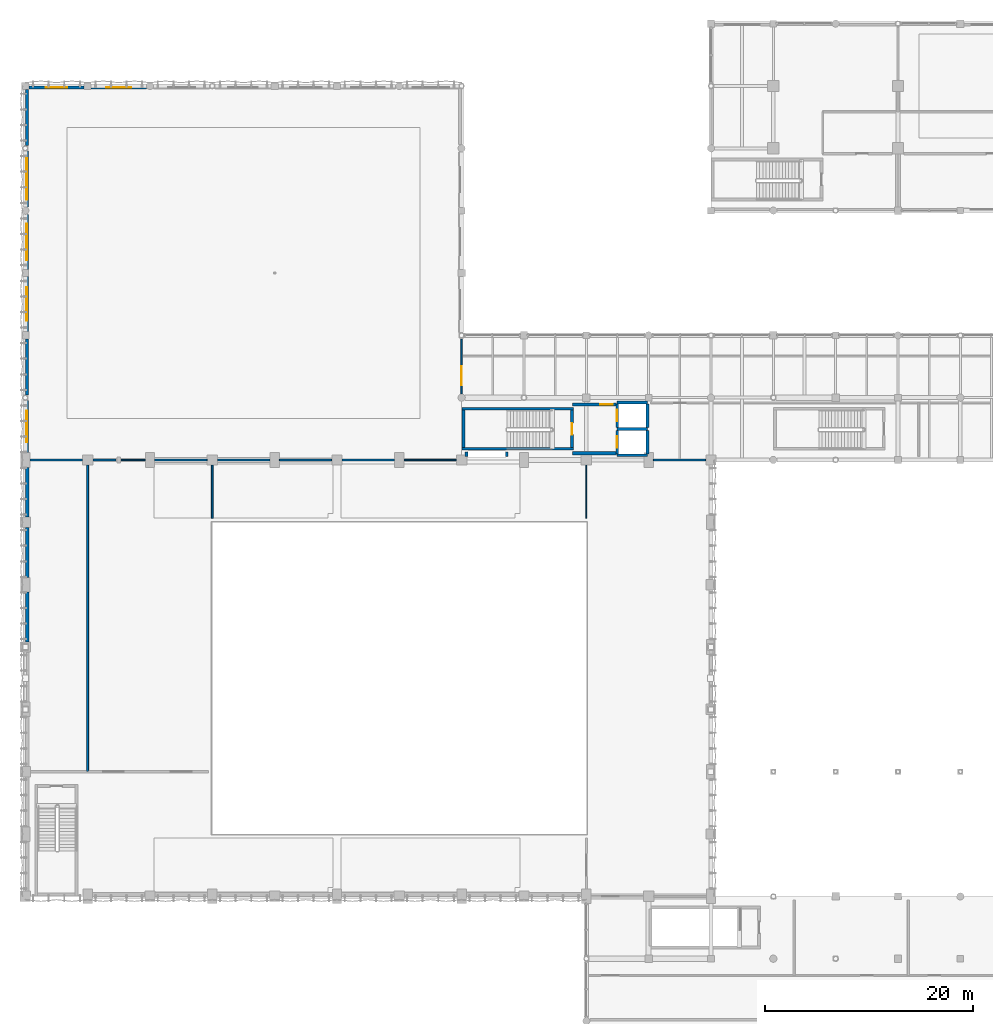
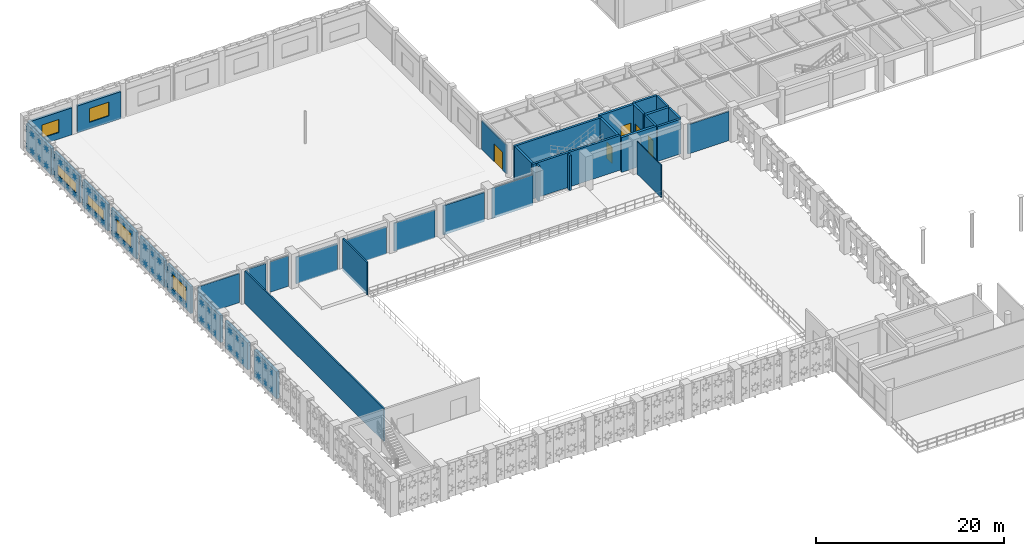
# One storey, part 89 of 116: 39 walls, 6 windows, 5 doors, 11 openings.
"""IFC4 building model written with IfcOpenShell, lengths in metres."""

from ifc_helpers import new_model, si_unit, direction, frame, frame_2d, origin, place, context, subcontext, project, spatial, rectangle, extrude, material, layer, layer_set, type_object, element, fill, save


model = new_model("IFC4")

# Units and contexts
model_context = context("Model", 3, precision=1e-05, world=origin(), true_north=direction((0.0, 1.0)))
body_context = subcontext(model_context, "Body", "Model", "MODEL_VIEW")
ifc_project = project(units=[si_unit("LENGTHUNIT", "METRE"), si_unit("AREAUNIT", "SQUARE_METRE"), si_unit("VOLUMEUNIT", "CUBIC_METRE"), si_unit("PLANEANGLEUNIT", "RADIAN"), si_unit("MASSUNIT", "GRAM", prefix="KILO"), si_unit("THERMODYNAMICTEMPERATUREUNIT", "KELVIN"), si_unit("POWERUNIT", "WATT")], contexts=[model_context])

# Site, building, storey
site_placement = place(None, origin())
site = spatial("IfcSite", under=ifc_project, at=site_placement, CompositionType="ELEMENT")
building_placement = place(site_placement, origin())
building = spatial("IfcBuilding", under=site, at=building_placement, Name="Phaisarnlok Congress Hotel", CompositionType="ELEMENT")
storey_placement = place(building_placement, frame((0.0, 0.0, 10.5)))
storey = spatial("IfcBuildingStorey", under=building, at=storey_placement, Name="L02", CompositionType="ELEMENT", Elevation=10.5)

# Wall, opening, window
ifc_material_1 = material(Name="Concrete C40/50", Category="concrete")
ifc_layer_1 = layer(ifc_material_1, 0.2900390625, Name="Concrete C40/50")
ifc_layer_set_1 = layer_set([ifc_layer_1], Name="Concrete C40/50")
wall_type_1 = type_object("IfcWallType", Name="WL-EXT-290", PredefinedType="SOLIDWALL", material=ifc_layer_set_1)
wall_1_placement = place(storey_placement, frame((11.64501953125, 119.85498046875, 0.0), z_axis=(0.0, 0.0, 1.0), x_axis=(-1.0, 0.0, 0.0)))
wall_1 = element("IfcWall", 1, at=wall_1_placement, inside=storey, type_object=wall_type_1, Name="Exterior wall EW-03 (L02)", PredefinedType="SOLIDWALL", context=body_context, shape_type="SweptSolid", body=[
    extrude(rectangle(XDim=5.31494140625, YDim=0.2900390625, at=frame_2d((2.657470703125, 0.0))), origin(), (0.0, 0.0, 1.0), 3.489990234375),
])
opening_1_placement = place(wall_1_placement, frame((1.45703125, 0.0, 0.85009765625)))
opening_1 = element("IfcOpeningElement", 2, at=opening_1_placement, cuts=wall_1, Name="Opening W-08", PredefinedType="OPENING", context=body_context, shape_type="SweptSolid", body=[
    extrude(rectangle(XDim=2.39990234375, YDim=1.800048828125, at=frame_2d((1.199951171875, 0.89990234375))), frame((0.0, 0.155029296875, 0.0), z_axis=(0.0, -1.0, 0.0), x_axis=(1.0, 0.0, 0.0)), (0.0, 0.0, 1.0), 0.31005859375),
])
ifc_material_2 = material(Name="Thermally Broken Aluminium & Low-E Double Glazing", Category="aluminium")
window_type_1 = type_object("IfcWindowType", Name="WIN-POD-2400", PartitioningType="SINGLE_PANEL", PredefinedType="WINDOW", material=ifc_material_2)
window_1_placement = place(opening_1_placement, origin())
window_1 = element("IfcWindow", 3, at=window_1_placement, inside=storey, type_object=window_type_1, Name="Podium window W-08 (L02)", OverallHeight=1.800048828125, OverallWidth=2.39990234375, PartitioningType="SINGLE_PANEL", PredefinedType="WINDOW", context=body_context, shape_type="SweptSolid", body=[
    extrude(rectangle(XDim=2.39990234375, YDim=1.800048828125, at=frame_2d((1.199951171875, 0.89990234375))), frame((0.0, 0.030029296875, 0.0), z_axis=(0.0, -1.0, 0.0), x_axis=(1.0, 0.0, 0.0)), (0.0, 0.0, 1.0), 0.06005859375),
])
fill(opening_1, window_1)

wall_2_placement = place(storey_placement, frame((5.669921875, 119.85498046875, 0.0), z_axis=(0.0, 0.0, 1.0), x_axis=(-1.0, 0.0, 0.0)))
wall_2 = element("IfcWall", 4, at=wall_2_placement, inside=storey, type_object=wall_type_1, Name="Exterior wall EW-03 (L02)", PredefinedType="SOLIDWALL", context=body_context, shape_type="SweptSolid", body=[
    extrude(rectangle(XDim=5.31494140625, YDim=0.2900390625, at=frame_2d((2.657470703125, 0.0))), origin(), (0.0, 0.0, 1.0), 3.489990234375),
])
opening_2_placement = place(wall_2_placement, frame((1.60693359375, 0.0, 0.85009765625)))
opening_2 = element("IfcOpeningElement", 5, at=opening_2_placement, cuts=wall_2, Name="Opening W-09", PredefinedType="OPENING", context=body_context, shape_type="SweptSolid", body=[
    extrude(rectangle(XDim=2.10009765625, YDim=1.699951171875, at=frame_2d((1.050048828125, 0.85009765625))), frame((0.0, 0.155029296875, 0.0), z_axis=(0.0, -1.0, 0.0), x_axis=(1.0, 0.0, 0.0)), (0.0, 0.0, 1.0), 0.31005859375),
])
window_type_2 = type_object("IfcWindowType", Name="WIN-POD-2100", PartitioningType="SINGLE_PANEL", PredefinedType="WINDOW", material=ifc_material_2)
window_2_placement = place(opening_2_placement, origin())
window_2 = element("IfcWindow", 6, at=window_2_placement, inside=storey, type_object=window_type_2, Name="Podium window W-09 (L02)", OverallHeight=1.699951171875, OverallWidth=2.10009765625, PartitioningType="SINGLE_PANEL", PredefinedType="WINDOW", context=body_context, shape_type="SweptSolid", body=[
    extrude(rectangle(XDim=2.10009765625, YDim=1.699951171875, at=frame_2d((1.050048828125, 0.85009765625))), frame((0.0, 0.030029296875, 0.0), z_axis=(0.0, -1.0, 0.0), x_axis=(1.0, 0.0, 0.0)), (0.0, 0.0, 1.0), 0.06005859375),
])
fill(opening_2, window_2)

# Wall
wall_3_placement = place(storey_placement, frame((0.14501953125, 119.64501953125, 0.0), z_axis=(0.0, 0.0, 1.0), x_axis=(0.0, -1.0, 0.0)))
element("IfcWall", 7, at=wall_3_placement, inside=storey, type_object=wall_type_1, Name="Exterior wall EW-03 (L02)", PredefinedType="SOLIDWALL", context=body_context, shape_type="SweptSolid", body=[
    extrude(rectangle(XDim=5.385986328125, YDim=0.2900390625, at=frame_2d((2.69287109375, 0.0))), origin(), (0.0, 0.0, 1.0), 3.489990234375),
])

# Wall, opening, window
wall_4_placement = place(storey_placement, frame((0.14501953125, 113.740966796875, 0.0), z_axis=(0.0, 0.0, 1.0), x_axis=(0.0, -1.0, 0.0)))
wall_4 = element("IfcWall", 8, at=wall_4_placement, inside=storey, type_object=wall_type_1, Name="Exterior wall EW-03 (L02)", PredefinedType="SOLIDWALL", context=body_context, shape_type="SweptSolid", body=[
    extrude(rectangle(XDim=5.385986328125, YDim=0.2900390625, at=frame_2d((2.69287109375, 0.0))), origin(), (0.0, 0.0, 1.0), 3.489990234375),
])
opening_3_placement = place(wall_4_placement, frame((0.693115234375, 0.0, 0.85009765625)))
opening_3 = element("IfcOpeningElement", 9, at=opening_3_placement, cuts=wall_4, Name="Opening W-19", PredefinedType="OPENING", context=body_context, shape_type="SweptSolid", body=[
    extrude(rectangle(XDim=4.0, YDim=1.300048828125, at=frame_2d((2.0, 0.64990234375))), frame((0.0, 0.155029296875, 0.0), z_axis=(0.0, -1.0, 0.0), x_axis=(1.0, 0.0, 0.0)), (0.0, 0.0, 1.0), 0.31005859375),
])
window_type_3 = type_object("IfcWindowType", Name="WIN-CLER-4000", PartitioningType="SINGLE_PANEL", PredefinedType="WINDOW", material=ifc_material_2)
window_3_placement = place(opening_3_placement, origin())
window_3 = element("IfcWindow", 10, at=window_3_placement, inside=storey, type_object=window_type_3, Name="Podium window W-19 (L02)", OverallHeight=1.300048828125, OverallWidth=4.0, PartitioningType="SINGLE_PANEL", PredefinedType="WINDOW", context=body_context, shape_type="SweptSolid", body=[
    extrude(rectangle(XDim=4.0, YDim=1.300048828125, at=frame_2d((2.0, 0.64990234375))), frame((0.0, 0.030029296875, 0.0), z_axis=(0.0, -1.0, 0.0), x_axis=(1.0, 0.0, 0.0)), (0.0, 0.0, 1.0), 0.06005859375),
])
fill(opening_3, window_3)

wall_5_placement = place(storey_placement, frame((0.14501953125, 107.64501953125, 0.0), z_axis=(0.0, 0.0, 1.0), x_axis=(0.0, -1.0, 0.0)))
wall_5 = element("IfcWall", 11, at=wall_5_placement, inside=storey, type_object=wall_type_1, Name="Exterior wall EW-03 (L02)", PredefinedType="SOLIDWALL", context=body_context, shape_type="SweptSolid", body=[
    extrude(rectangle(XDim=5.31494140625, YDim=0.2900390625, at=frame_2d((2.657470703125, 0.0))), origin(), (0.0, 0.0, 1.0), 3.489990234375),
])
opening_4_placement = place(wall_5_placement, frame((0.906982421875, 0.0, 0.85009765625)))
opening_4 = element("IfcOpeningElement", 12, at=opening_4_placement, cuts=wall_5, Name="Opening W-20", PredefinedType="OPENING", context=body_context, shape_type="SweptSolid", body=[
    extrude(rectangle(XDim=3.5, YDim=1.300048828125, at=frame_2d((1.75, 0.64990234375))), frame((0.0, 0.155029296875, 0.0), z_axis=(0.0, -1.0, 0.0), x_axis=(1.0, 0.0, 0.0)), (0.0, 0.0, 1.0), 0.31005859375),
])
window_type_4 = type_object("IfcWindowType", Name="WIN-CLER-3500", PartitioningType="SINGLE_PANEL", PredefinedType="WINDOW", material=ifc_material_2)
window_4_placement = place(opening_4_placement, origin())
window_4 = element("IfcWindow", 13, at=window_4_placement, inside=storey, type_object=window_type_4, Name="Podium window W-20 (L02)", OverallHeight=1.300048828125, OverallWidth=3.5, PartitioningType="SINGLE_PANEL", PredefinedType="WINDOW", context=body_context, shape_type="SweptSolid", body=[
    extrude(rectangle(XDim=3.5, YDim=1.300048828125, at=frame_2d((1.75, 0.64990234375))), frame((0.0, 0.030029296875, 0.0), z_axis=(0.0, -1.0, 0.0), x_axis=(1.0, 0.0, 0.0)), (0.0, 0.0, 1.0), 0.06005859375),
])
fill(opening_4, window_4)

wall_6_placement = place(storey_placement, frame((0.14501953125, 101.669921875, 0.0), z_axis=(0.0, 0.0, 1.0), x_axis=(0.0, -1.0, 0.0)))
wall_6 = element("IfcWall", 14, at=wall_6_placement, inside=storey, type_object=wall_type_1, Name="Exterior wall EW-03 (L02)", PredefinedType="SOLIDWALL", context=body_context, shape_type="SweptSolid", body=[
    extrude(rectangle(XDim=5.31494140625, YDim=0.2900390625, at=frame_2d((2.657470703125, 0.0))), origin(), (0.0, 0.0, 1.0), 3.489990234375),
])
opening_5_placement = place(wall_6_placement, frame((1.056884765625, 0.0, 0.85009765625)))
opening_5 = element("IfcOpeningElement", 15, at=opening_5_placement, cuts=wall_6, Name="Opening W-04", PredefinedType="OPENING", context=body_context, shape_type="SweptSolid", body=[
    extrude(rectangle(XDim=3.199951171875, YDim=1.85009765625, at=frame_2d((1.60009765625, 0.925048828125))), frame((0.0, 0.155029296875, 0.0), z_axis=(0.0, -1.0, 0.0), x_axis=(1.0, 0.0, 0.0)), (0.0, 0.0, 1.0), 0.31005859375),
])
window_type_5 = type_object("IfcWindowType", Name="WIN-SUITE-3200", PartitioningType="SINGLE_PANEL", PredefinedType="WINDOW", material=ifc_material_2)
window_5_placement = place(opening_5_placement, origin())
window_5 = element("IfcWindow", 16, at=window_5_placement, inside=storey, type_object=window_type_5, Name="Podium window W-04 (L02)", OverallHeight=1.85009765625, OverallWidth=3.199951171875, PartitioningType="SINGLE_PANEL", PredefinedType="WINDOW", context=body_context, shape_type="SweptSolid", body=[
    extrude(rectangle(XDim=3.199951171875, YDim=1.85009765625, at=frame_2d((1.60009765625, 0.925048828125))), frame((0.0, 0.030029296875, 0.0), z_axis=(0.0, -1.0, 0.0), x_axis=(1.0, 0.0, 0.0)), (0.0, 0.0, 1.0), 0.06005859375),
])
fill(opening_5, window_5)

# Wall
wall_7_placement = place(storey_placement, frame((0.14501953125, 95.64501953125, 0.0), z_axis=(0.0, 0.0, 1.0), x_axis=(0.0, -1.0, 0.0)))
element("IfcWall", 17, at=wall_7_placement, inside=storey, type_object=wall_type_1, Name="Exterior wall EW-03 (L02)", PredefinedType="SOLIDWALL", context=body_context, shape_type="SweptSolid", body=[
    extrude(rectangle(XDim=5.385986328125, YDim=0.2900390625, at=frame_2d((2.69287109375, 0.0))), origin(), (0.0, 0.0, 1.0), 3.489990234375),
])

# Wall, opening, window
wall_8_placement = place(storey_placement, frame((0.14501953125, 89.740966796875, 0.0), z_axis=(0.0, 0.0, 1.0), x_axis=(0.0, -1.0, 0.0)))
wall_8 = element("IfcWall", 18, at=wall_8_placement, inside=storey, type_object=wall_type_1, Name="Exterior wall EW-03 (L02)", PredefinedType="SOLIDWALL", context=body_context, shape_type="SweptSolid", body=[
    extrude(rectangle(XDim=5.035888671875, YDim=0.2900390625, at=frame_2d((2.51806640625, 0.0))), origin(), (0.0, 0.0, 1.0), 3.489990234375),
])
opening_6_placement = place(wall_8_placement, frame((1.01806640625, 0.0, 0.85009765625)))
opening_6 = element("IfcOpeningElement", 19, at=opening_6_placement, cuts=wall_8, Name="Opening W-05", PredefinedType="OPENING", context=body_context, shape_type="SweptSolid", body=[
    extrude(rectangle(XDim=3.0, YDim=1.89990234375, at=frame_2d((1.5, 0.949951171875))), frame((0.0, 0.155029296875, 0.0), z_axis=(0.0, -1.0, 0.0), x_axis=(1.0, 0.0, 0.0)), (0.0, 0.0, 1.0), 0.31005859375),
])
window_type_6 = type_object("IfcWindowType", Name="WIN-POD-3000", PartitioningType="SINGLE_PANEL", PredefinedType="WINDOW", material=ifc_material_2)
window_6_placement = place(opening_6_placement, origin())
window_6 = element("IfcWindow", 20, at=window_6_placement, inside=storey, type_object=window_type_6, Name="Podium window W-05 (L02)", OverallHeight=1.89990234375, OverallWidth=3.0, PartitioningType="SINGLE_PANEL", PredefinedType="WINDOW", context=body_context, shape_type="SweptSolid", body=[
    extrude(rectangle(XDim=3.0, YDim=1.89990234375, at=frame_2d((1.5, 0.949951171875))), frame((0.0, 0.030029296875, 0.0), z_axis=(0.0, -1.0, 0.0), x_axis=(1.0, 0.0, 0.0)), (0.0, 0.0, 1.0), 0.06005859375),
])
fill(opening_6, window_6)

# Walls
ifc_layer_2 = layer(ifc_material_1, 0.360107421875, Name="Concrete C40/50")
ifc_layer_set_2 = layer_set([ifc_layer_2], Name="Concrete C40/50")
wall_type_2 = type_object("IfcWallType", Name="WL-EXT-360", PredefinedType="SOLIDWALL", material=ifc_layer_set_2)
for number, where, z_axis, x_axis, name in (
    (21, (0.179931640625, 83.294921875, 0.0), (0.0, 0.0, 1.0), (0.0, -1.0, 0.0), "Exterior wall EW-01 (L02)"),
    (22, (0.179931640625, 77.4951171875, 0.0), (0.0, 0.0, 1.0), (0.0, -1.0, 0.0), "Exterior wall EW-01 (L02)"),
    (23, (0.179931640625, 71.294921875, 0.0), (0.0, 0.0, 1.0), (0.0, -1.0, 0.0), "Exterior wall EW-01 (L02)"),
):
    element("IfcWall", number, at=place(storey_placement, frame(where, z_axis=z_axis, x_axis=x_axis)), inside=storey, type_object=wall_type_2, Name=name, PredefinedType="SOLIDWALL", context=body_context, shape_type="SweptSolid", body=[
        extrude(rectangle(XDim=4.7900390625, YDim=0.360107421875, at=frame_2d((2.39501953125, 0.0))), origin(), (0.0, 0.0, 1.0), 3.489990234375),
    ])
ifc_material_3 = material(Name="Service Riser Shaftwall Partition", Category="gypsum")
ifc_layer_3 = layer(ifc_material_3, 0.10498046875, Name="Service Riser Shaftwall Partition")
ifc_layer_set_3 = layer_set([ifc_layer_3], Name="Service Riser Shaftwall Partition")
wall_type_3 = type_object("IfcWallType", Name="WL-INT-105", PredefinedType="PARTITIONING", material=ifc_layer_set_3)
wall_9_placement = place(storey_placement, frame((54.0, 78.3701171875, 0.0), z_axis=(0.0, 0.0, 1.0), x_axis=(0.0, 1.0, 0.0)))
element("IfcWall", 24, at=wall_9_placement, inside=storey, type_object=wall_type_3, Name="Interior partition wall IW-08 (L02)", PredefinedType="PARTITIONING", context=body_context, shape_type="SweptSolid", body=[
    extrude(rectangle(XDim=5.125, YDim=0.10498046875, at=frame_2d((2.5625, 0.0))), origin(), (0.0, 0.0, 1.0), 4.239990234375),
])
wall_10_placement = place(storey_placement, frame((9.2548828125, 84.0, 0.0), z_axis=(0.0, 0.0, 1.0), x_axis=(1.0, 0.0, 0.0)))
element("IfcWall", 25, at=wall_10_placement, inside=storey, type_object=wall_type_3, Name="Interior partition wall IW-08 (L02)", PredefinedType="PARTITIONING", context=body_context, shape_type="SweptSolid", body=[
    extrude(rectangle(XDim=2.2900390625, YDim=0.10498046875, at=frame_2d((1.14501953125, 0.0))), origin(), (0.0, 0.0, 1.0), 3.949951171875),
])
wall_11_placement = place(storey_placement, frame((36.455078125, 84.0, 0.0), z_axis=(0.0, 0.0, 1.0), x_axis=(1.0, 0.0, 0.0)))
element("IfcWall", 26, at=wall_11_placement, inside=storey, type_object=wall_type_3, Name="Interior partition wall IW-08 (L02)", PredefinedType="PARTITIONING", context=body_context, shape_type="SweptSolid", body=[
    extrude(rectangle(XDim=5.0400390625, YDim=0.10498046875, at=frame_2d((2.52001953125, 0.0))), origin(), (0.0, 0.0, 1.0), 3.949951171875),
])

# Wall, opening, door
ifc_material_4 = material(Name="Acoustic Gypsum Board & Mineral Wool", Category="gypsum")
ifc_layer_4 = layer(ifc_material_4, 0.14990234375, Name="Acoustic Gypsum Board & Mineral Wool")
ifc_layer_set_4 = layer_set([ifc_layer_4], Name="Acoustic Gypsum Board & Mineral Wool")
wall_type_4 = type_object("IfcWallType", Name="WL-INT-150", PredefinedType="PARTITIONING", material=ifc_layer_set_4)
wall_12_placement = place(storey_placement, frame((42.0, 90.35498046875, 0.0), z_axis=(0.0, 0.0, 1.0), x_axis=(0.0, 1.0, 0.0)))
wall_12 = element("IfcWall", 27, at=wall_12_placement, inside=storey, type_object=wall_type_4, Name="Interior partition wall IW-05 (L02)", PredefinedType="PARTITIONING", context=body_context, shape_type="SweptSolid", body=[
    extrude(rectangle(XDim=5.27490234375, YDim=0.14990234375, at=frame_2d((2.637451171875, 0.0))), origin(), (0.0, 0.0, 1.0), 3.739990234375),
])
opening_7_placement = place(wall_12_placement, frame((0.844970703125, 0.0, 0.0)))
opening_7 = element("IfcOpeningElement", 28, at=opening_7_placement, cuts=wall_12, Name="Opening D-0088", PredefinedType="OPENING", context=body_context, shape_type="SweptSolid", body=[
    extrude(rectangle(XDim=1.800048828125, YDim=2.35009765625, at=frame_2d((0.89990234375, 1.175048828125))), frame((0.0, 0.0849609375, 0.0), z_axis=(0.0, -1.0, 0.0), x_axis=(1.0, 0.0, 0.0)), (0.0, 0.0, 1.0), 0.169921875),
])
ifc_material_5 = material(Name="Frameless Tempered Acoustic Glass", Category="glass")
door_type_1 = type_object("IfcDoorType", Name="DR-GLZ-1800", OperationType="DOUBLE_DOOR_SINGLE_SWING", PredefinedType="DOOR", material=ifc_material_5)
door_1_placement = place(opening_7_placement, origin())
door_1 = element("IfcDoor", 29, at=door_1_placement, inside=storey, type_object=door_type_1, Name="Interior door D-0088 (L02)", OperationType="DOUBLE_DOOR_SINGLE_SWING", OverallHeight=2.35009765625, OverallWidth=1.800048828125, PredefinedType="DOOR", context=body_context, shape_type="SweptSolid", body=[
    extrude(rectangle(XDim=1.800048828125, YDim=2.35009765625, at=frame_2d((0.89990234375, 1.175048828125))), frame((0.0, 0.02490234375, 0.0), z_axis=(0.0, -1.0, 0.0), x_axis=(1.0, 0.0, 0.0)), (0.0, 0.0, 1.0), 0.050048828125),
])
fill(opening_7, door_1)

# Walls
wall_13_placement = place(storey_placement, frame((0.455078125, 84.0, 0.0), z_axis=(0.0, 0.0, 1.0), x_axis=(1.0, 0.0, 0.0)))
element("IfcWall", 30, at=wall_13_placement, inside=storey, type_object=wall_type_4, Name="Interior partition wall IW-05 (L02)", PredefinedType="PARTITIONING", context=body_context, shape_type="SweptSolid", body=[
    extrude(rectangle(XDim=5.0400390625, YDim=0.14990234375, at=frame_2d((2.52001953125, 0.0))), origin(), (0.0, 0.0, 1.0), 3.7900390625),
])
wall_14_placement = place(storey_placement, frame((24.455078125, 84.0, 0.0), z_axis=(0.0, 0.0, 1.0), x_axis=(1.0, 0.0, 0.0)))
element("IfcWall", 31, at=wall_14_placement, inside=storey, type_object=wall_type_4, Name="Interior partition wall IW-05 (L02)", PredefinedType="PARTITIONING", context=body_context, shape_type="SweptSolid", body=[
    extrude(rectangle(XDim=5.0400390625, YDim=0.14990234375, at=frame_2d((2.52001953125, 0.0))), origin(), (0.0, 0.0, 1.0), 3.639892578125),
])
ifc_material_6 = material(Name="Double-Stud Acoustic Gypsum Partition", Category="gypsum")
ifc_layer_5 = layer(ifc_material_6, 0.159912109375, Name="Double-Stud Acoustic Gypsum Partition")
ifc_layer_set_5 = layer_set([ifc_layer_5], Name="Double-Stud Acoustic Gypsum Partition")
wall_type_5 = type_object("IfcWallType", Name="WL-INT-160", PredefinedType="PARTITIONING", material=ifc_layer_set_5)
wall_15_placement = place(storey_placement, frame((18.0, 78.3701171875, 0.0), z_axis=(0.0, 0.0, 1.0), x_axis=(0.0, 1.0, 0.0)))
element("IfcWall", 32, at=wall_15_placement, inside=storey, type_object=wall_type_5, Name="Interior partition wall IW-04 (L02)", PredefinedType="PARTITIONING", context=body_context, shape_type="SweptSolid", body=[
    extrude(rectangle(XDim=5.125, YDim=0.159912109375, at=frame_2d((2.5625, 0.0))), origin(), (0.0, 0.0, 1.0), 4.239990234375),
])
wall_16_placement = place(storey_placement, frame((18.5048828125, 84.0, 0.0), z_axis=(0.0, 0.0, 1.0), x_axis=(1.0, 0.0, 0.0)))
element("IfcWall", 33, at=wall_16_placement, inside=storey, type_object=wall_type_5, Name="Interior partition wall IW-04 (L02)", PredefinedType="PARTITIONING", context=body_context, shape_type="SweptSolid", body=[
    extrude(rectangle(XDim=5.0400390625, YDim=0.159912109375, at=frame_2d((2.52001953125, 0.0))), origin(), (0.0, 0.0, 1.0), 3.5400390625),
])
ifc_material_7 = material(Name="Autoclaved Aerated Concrete Block", Category="concrete")
ifc_layer_6 = layer(ifc_material_7, 0.179931640625, Name="Autoclaved Aerated Concrete Block")
ifc_layer_set_6 = layer_set([ifc_layer_6], Name="Autoclaved Aerated Concrete Block")
wall_type_6 = type_object("IfcWallType", Name="WL-INT-180", PredefinedType="PARTITIONING", material=ifc_layer_set_6)
wall_17_placement = place(storey_placement, frame((6.0, 54.0, 0.0), z_axis=(0.0, 0.0, 1.0), x_axis=(0.0, 1.0, 0.0)))
element("IfcWall", 34, at=wall_17_placement, inside=storey, type_object=wall_type_6, Name="Interior partition wall IW-03 (L02)", PredefinedType="PARTITIONING", context=body_context, shape_type="SweptSolid", body=[
    extrude(rectangle(XDim=29.4951171875, YDim=0.179931640625, at=frame_2d((14.74755859375, 0.0))), origin(), (0.0, 0.0, 1.0), 4.239990234375),
])
wall_18_placement = place(storey_placement, frame((12.455078125, 84.0, 0.0), z_axis=(0.0, 0.0, 1.0), x_axis=(1.0, 0.0, 0.0)))
element("IfcWall", 35, at=wall_18_placement, inside=storey, type_object=wall_type_6, Name="Interior partition wall IW-03 (L02)", PredefinedType="PARTITIONING", context=body_context, shape_type="SweptSolid", body=[
    extrude(rectangle(XDim=5.0400390625, YDim=0.179931640625, at=frame_2d((2.52001953125, 0.0))), origin(), (0.0, 0.0, 1.0), 3.43994140625),
])
wall_19_placement = place(storey_placement, frame((60.455078125, 84.0, 0.0), z_axis=(0.0, 0.0, 1.0), x_axis=(1.0, 0.0, 0.0)))
element("IfcWall", 36, at=wall_19_placement, inside=storey, type_object=wall_type_6, Name="Interior partition wall IW-03 (L02)", PredefinedType="PARTITIONING", context=body_context, shape_type="SweptSolid", body=[
    extrude(rectangle(XDim=5.0400390625, YDim=0.179931640625, at=frame_2d((2.52001953125, 0.0))), origin(), (0.0, 0.0, 1.0), 3.7900390625),
])
ifc_layer_7 = layer(ifc_material_7, 0.199951171875, Name="Autoclaved Aerated Concrete Block")
ifc_layer_set_7 = layer_set([ifc_layer_7], Name="Autoclaved Aerated Concrete Block")
wall_type_7 = type_object("IfcWallType", Name="WL-INT-200", PredefinedType="PARTITIONING", material=ifc_layer_set_7)
wall_20_placement = place(storey_placement, frame((6.5048828125, 84.0, 0.0), z_axis=(0.0, 0.0, 1.0), x_axis=(1.0, 0.0, 0.0)))
element("IfcWall", 37, at=wall_20_placement, inside=storey, type_object=wall_type_7, Name="Interior partition wall IW-02 (L02)", PredefinedType="PARTITIONING", context=body_context, shape_type="SweptSolid", body=[
    extrude(rectangle(XDim=2.240234375, YDim=0.199951171875, at=frame_2d((1.1201171875, 0.0))), origin(), (0.0, 0.0, 1.0), 3.949951171875),
])
wall_21_placement = place(storey_placement, frame((30.5048828125, 84.0, 0.0), z_axis=(0.0, 0.0, 1.0), x_axis=(1.0, 0.0, 0.0)))
element("IfcWall", 38, at=wall_21_placement, inside=storey, type_object=wall_type_7, Name="Interior partition wall IW-02 (L02)", PredefinedType="PARTITIONING", context=body_context, shape_type="SweptSolid", body=[
    extrude(rectangle(XDim=5.0400390625, YDim=0.199951171875, at=frame_2d((2.52001953125, 0.0))), origin(), (0.0, 0.0, 1.0), 3.7900390625),
])
ifc_material_8 = material(Name="Concrete C50/60", Category="concrete")
ifc_layer_8 = layer(ifc_material_8, 0.260009765625, Name="Concrete C50/60")
ifc_layer_set_8 = layer_set([ifc_layer_8], Name="Concrete C50/60")
wall_type_8 = type_object("IfcWallType", Name="WL-SHR-260", PredefinedType="SHEAR", material=ifc_layer_set_8)
for number, where, z_axis, x_axis, name in (
    (39, (42.0400390625, 85.070068359375, 0.0), (0.0, 0.0, 1.0), (1.0, 0.0, 0.0), "Stair shaft shear wall SW-04 (CORE-5 L02)"),
    (40, (42.0400390625, 88.929931640625, 0.0), (0.0, 0.0, 1.0), (1.0, 0.0, 0.0), "Stair shaft shear wall SW-04 (CORE-5 L02)"),
):
    element("IfcWall", number, at=place(storey_placement, frame(where, z_axis=z_axis, x_axis=x_axis)), inside=storey, type_object=wall_type_8, Name=name, PredefinedType="SHEAR", context=body_context, shape_type="SweptSolid", body=[
        extrude(rectangle(XDim=10.719970703125, YDim=0.260009765625, at=frame_2d((5.35986328125, 0.0))), origin(), (0.0, 0.0, 1.0), 4.5),
    ])
wall_22_placement = place(storey_placement, frame((42.169921875, 85.199951171875, 0.0), z_axis=(0.0, 0.0, 1.0), x_axis=(0.0, 1.0, 0.0)))
element("IfcWall", 41, at=wall_22_placement, inside=storey, type_object=wall_type_8, Name="Stair shaft shear wall SW-04 (CORE-5 L02)", PredefinedType="SHEAR", context=body_context, shape_type="SweptSolid", body=[
    extrude(rectangle(XDim=3.60009765625, YDim=0.260009765625, at=frame_2d((1.800048828125, 0.0))), origin(), (0.0, 0.0, 1.0), 4.5),
])

# Wall, opening, door
wall_23_placement = place(storey_placement, frame((52.6298828125, 85.199951171875, 0.0), z_axis=(0.0, 0.0, 1.0), x_axis=(0.0, 1.0, 0.0)))
wall_23 = element("IfcWall", 42, at=wall_23_placement, inside=storey, type_object=wall_type_8, Name="Stair shaft shear wall SW-04 (CORE-5 L02)", PredefinedType="SHEAR", context=body_context, shape_type="SweptSolid", body=[
    extrude(rectangle(XDim=3.60009765625, YDim=0.260009765625, at=frame_2d((1.800048828125, 0.0))), origin(), (0.0, 0.0, 1.0), 4.5),
])
opening_8_placement = place(wall_23_placement, frame((1.25, 0.0, 0.0)))
opening_8 = element("IfcOpeningElement", 43, at=opening_8_placement, cuts=wall_23, Name="Opening FD-124", PredefinedType="OPENING", context=body_context, shape_type="SweptSolid", body=[
    extrude(rectangle(XDim=1.10009765625, YDim=2.14990234375, at=frame_2d((0.550048828125, 1.074951171875))), frame((0.0, 0.14013671875, 0.0), z_axis=(0.0, -1.0, 0.0), x_axis=(1.0, 0.0, 0.0)), (0.0, 0.0, 1.0), 0.280029296875),
])
ifc_material_9 = material(Name="Fire-Rated Steel Frame & Timber Leaf", Category="steel")
door_type_2 = type_object("IfcDoorType", Name="DR-FD60-1100", OperationType="NOTDEFINED", PredefinedType="DOOR", material=ifc_material_9)
door_2_placement = place(opening_8_placement, origin())
door_2 = element("IfcDoor", 44, at=door_2_placement, inside=storey, type_object=door_type_2, Name="Stair enclosure fire door FD-124 (L02)", OperationType="SINGLE_SWING_LEFT", OverallHeight=2.14990234375, OverallWidth=1.10009765625, PredefinedType="DOOR", context=body_context, shape_type="SweptSolid", body=[
    extrude(rectangle(XDim=1.10009765625, YDim=2.14990234375, at=frame_2d((0.550048828125, 1.074951171875))), frame((0.0, 0.02490234375, 0.0), z_axis=(0.0, -1.0, 0.0), x_axis=(1.0, 0.0, 0.0)), (0.0, 0.0, 1.0), 0.050048828125),
])
fill(opening_8, door_2)

# Walls
wall_24_placement = place(storey_placement, frame((56.969970703125, 84.469970703125, 0.0), z_axis=(0.0, 0.0, 1.0), x_axis=(1.0, 0.0, 0.0)))
element("IfcWall", 45, at=wall_24_placement, inside=storey, type_object=wall_type_8, Name="Lift shaft shear wall SW-04 (LF-CP1 L02)", PredefinedType="SHEAR", context=body_context, shape_type="SweptSolid", body=[
    extrude(rectangle(XDim=2.909912109375, YDim=0.260009765625, at=frame_2d((1.455078125, 0.0))), origin(), (0.0, 0.0, 1.0), 4.5),
])
wall_25_placement = place(storey_placement, frame((59.8798828125, 84.60009765625, 0.0), z_axis=(0.0, 0.0, 1.0), x_axis=(0.0, 1.0, 0.0)))
element("IfcWall", 46, at=wall_25_placement, inside=storey, type_object=wall_type_8, Name="Lift shaft shear wall SW-04 (LF-CP1 L02)", PredefinedType="SHEAR", context=body_context, shape_type="SweptSolid", body=[
    extrude(rectangle(XDim=2.25, YDim=0.260009765625, at=frame_2d((1.125, 0.0))), origin(), (0.0, 0.0, 1.0), 4.5),
])

# Wall, opening, door
wall_26_placement = place(storey_placement, frame((56.969970703125, 84.60009765625, 0.0), z_axis=(0.0, 0.0, 1.0), x_axis=(0.0, 1.0, 0.0)))
wall_26 = element("IfcWall", 47, at=wall_26_placement, inside=storey, type_object=wall_type_8, Name="Lift shaft front wall SW-04 (LF-CP1 L02)", PredefinedType="SHEAR", context=body_context, shape_type="SweptSolid", body=[
    extrude(rectangle(XDim=2.25, YDim=0.260009765625, at=frame_2d((1.125, 0.0))), origin(), (0.0, 0.0, 1.0), 4.5),
])
opening_9_placement = place(wall_26_placement, frame((0.574951171875, 0.0, 0.0)))
opening_9 = element("IfcOpeningElement", 48, at=opening_9_placement, cuts=wall_26, Name="Opening LD-109", PredefinedType="OPENING", context=body_context, shape_type="SweptSolid", body=[
    extrude(rectangle(XDim=1.10009765625, YDim=2.199951171875, at=frame_2d((0.550048828125, 1.10009765625))), frame((0.0, 0.14013671875, 0.0), z_axis=(0.0, -1.0, 0.0), x_axis=(1.0, 0.0, 0.0)), (0.0, 0.0, 1.0), 0.280029296875),
])
ifc_material_10 = material(Name="Brushed Stainless Steel Grade 304", Category="steel")
door_type_3 = type_object("IfcDoorType", Name="DR-LD-1100", OperationType="DOUBLE_DOOR_SLIDING", PredefinedType="DOOR", material=ifc_material_10)
door_3_placement = place(opening_9_placement, origin())
door_3 = element("IfcDoor", 49, at=door_3_placement, inside=storey, type_object=door_type_3, Name="Lift landing sliding door LD-109 (LF-CP1 L02)", OperationType="DOUBLE_DOOR_SLIDING", OverallHeight=2.199951171875, OverallWidth=1.10009765625, PredefinedType="DOOR", context=body_context, shape_type="SweptSolid", body=[
    extrude(rectangle(XDim=1.10009765625, YDim=2.199951171875, at=frame_2d((0.550048828125, 1.10009765625))), frame((0.0, 0.02490234375, 0.0), z_axis=(0.0, -1.0, 0.0), x_axis=(1.0, 0.0, 0.0)), (0.0, 0.0, 1.0), 0.050048828125),
])
fill(opening_9, door_3)

# Walls
wall_27_placement = place(storey_placement, frame((56.969970703125, 89.530029296875, 0.0), z_axis=(0.0, 0.0, 1.0), x_axis=(1.0, 0.0, 0.0)))
element("IfcWall", 50, at=wall_27_placement, inside=storey, type_object=wall_type_8, Name="Lift shaft shear wall SW-04 (LF-SP1 L02)", PredefinedType="SHEAR", context=body_context, shape_type="SweptSolid", body=[
    extrude(rectangle(XDim=2.909912109375, YDim=0.260009765625, at=frame_2d((1.455078125, 0.0))), origin(), (0.0, 0.0, 1.0), 4.5),
])
wall_28_placement = place(storey_placement, frame((59.8798828125, 87.14990234375, 0.0), z_axis=(0.0, 0.0, 1.0), x_axis=(0.0, 1.0, 0.0)))
element("IfcWall", 51, at=wall_28_placement, inside=storey, type_object=wall_type_8, Name="Lift shaft shear wall SW-04 (LF-SP1 L02)", PredefinedType="SHEAR", context=body_context, shape_type="SweptSolid", body=[
    extrude(rectangle(XDim=2.25, YDim=0.260009765625, at=frame_2d((1.125, 0.0))), origin(), (0.0, 0.0, 1.0), 4.5),
])

# Wall, opening, door
wall_29_placement = place(storey_placement, frame((56.969970703125, 87.14990234375, 0.0), z_axis=(0.0, 0.0, 1.0), x_axis=(0.0, 1.0, 0.0)))
wall_29 = element("IfcWall", 52, at=wall_29_placement, inside=storey, type_object=wall_type_8, Name="Lift shaft front wall SW-04 (LF-SP1 L02)", PredefinedType="SHEAR", context=body_context, shape_type="SweptSolid", body=[
    extrude(rectangle(XDim=2.25, YDim=0.260009765625, at=frame_2d((1.125, 0.0))), origin(), (0.0, 0.0, 1.0), 4.5),
])
opening_10_placement = place(wall_29_placement, frame((0.574951171875, 0.0, 0.0)))
opening_10 = element("IfcOpeningElement", 53, at=opening_10_placement, cuts=wall_29, Name="Opening LD-115", PredefinedType="OPENING", context=body_context, shape_type="SweptSolid", body=[
    extrude(rectangle(XDim=1.10009765625, YDim=2.199951171875, at=frame_2d((0.550048828125, 1.10009765625))), frame((0.0, 0.14013671875, 0.0), z_axis=(0.0, -1.0, 0.0), x_axis=(1.0, 0.0, 0.0)), (0.0, 0.0, 1.0), 0.280029296875),
])
door_4_placement = place(opening_10_placement, origin())
door_4 = element("IfcDoor", 54, at=door_4_placement, inside=storey, type_object=door_type_3, Name="Lift landing sliding door LD-115 (LF-SP1 L02)", OperationType="DOUBLE_DOOR_SLIDING", OverallHeight=2.199951171875, OverallWidth=1.10009765625, PredefinedType="DOOR", context=body_context, shape_type="SweptSolid", body=[
    extrude(rectangle(XDim=1.10009765625, YDim=2.199951171875, at=frame_2d((0.550048828125, 1.10009765625))), frame((0.0, 0.02490234375, 0.0), z_axis=(0.0, -1.0, 0.0), x_axis=(1.0, 0.0, 0.0)), (0.0, 0.0, 1.0), 0.050048828125),
])
fill(opening_10, door_4)

# Walls
for number, where, z_axis, x_axis, name in (
    (55, (42.469970703125, 84.330078125, 0.0), (0.0, 0.0, 1.0), (0.0, 1.0, 0.0), "Service riser shaft wall SW-04 (CORE-5 L02)"),
    (56, (46.330078125, 84.330078125, 0.0), (0.0, 0.0, 1.0), (0.0, 1.0, 0.0), "Service riser shaft wall SW-04 (CORE-5 L02)"),
):
    element("IfcWall", number, at=place(storey_placement, frame(where, z_axis=z_axis, x_axis=x_axis)), inside=storey, type_object=wall_type_8, Name=name, PredefinedType="SHEAR", context=body_context, shape_type="SweptSolid", body=[
        extrude(rectangle(XDim=0.43994140625, YDim=0.260009765625, at=frame_2d((0.219970703125, 0.0))), origin(), (0.0, 0.0, 1.0), 4.5),
    ])
ifc_layer_9 = layer(ifc_material_8, 0.300048828125, Name="Concrete C50/60")
ifc_layer_set_9 = layer_set([ifc_layer_9], Name="Concrete C50/60")
wall_type_9 = type_object("IfcWallType", Name="WL-SHR-300", PredefinedType="SHEAR", material=ifc_layer_set_9)
wall_30_placement = place(storey_placement, frame((56.969970703125, 87.0, 0.0), z_axis=(0.0, 0.0, 1.0), x_axis=(1.0, 0.0, 0.0)))
element("IfcWall", 57, at=wall_30_placement, inside=storey, type_object=wall_type_9, Name="Lift shaft divider shear wall SW-03 (LF-CP1 L02)", PredefinedType="SHEAR", context=body_context, shape_type="SweptSolid", body=[
    extrude(rectangle(XDim=2.909912109375, YDim=0.300048828125, at=frame_2d((1.455078125, 0.0))), origin(), (0.0, 0.0, 1.0), 4.5),
])

# Wall, opening, door
wall_31_placement = place(storey_placement, frame((52.679931640625, 89.35009765625, 0.0), z_axis=(0.0, 0.0, 1.0), x_axis=(1.0, 0.0, 0.0)))
wall_31 = element("IfcWall", 58, at=wall_31_placement, inside=storey, type_object=wall_type_9, Name="Core lobby EI-120 wall SW-03 (CORE-5 L02)", PredefinedType="SHEAR", context=body_context, shape_type="SweptSolid", body=[
    extrude(rectangle(XDim=4.239990234375, YDim=0.300048828125, at=frame_2d((2.1201171875, 0.0))), origin(), (0.0, 0.0, 1.0), 4.5),
])
opening_11_placement = place(wall_31_placement, frame((2.64990234375, 0.0, 0.0)))
opening_11 = element("IfcOpeningElement", 59, at=opening_11_placement, cuts=wall_31, Name="Opening FD-130", PredefinedType="OPENING", context=body_context, shape_type="SweptSolid", body=[
    extrude(rectangle(XDim=1.199951171875, YDim=2.199951171875, at=frame_2d((0.60009765625, 1.10009765625))), frame((0.0, 0.16015625, 0.0), z_axis=(0.0, -1.0, 0.0), x_axis=(1.0, 0.0, 0.0)), (0.0, 0.0, 1.0), 0.320068359375),
])
door_type_4 = type_object("IfcDoorType", Name="DR-FD60-1200", OperationType="NOTDEFINED", PredefinedType="DOOR", material=ifc_material_9)
door_5_placement = place(opening_11_placement, origin())
door_5 = element("IfcDoor", 60, at=door_5_placement, inside=storey, type_object=door_type_4, Name="Firefighting lobby entrance door FD-130 (CORE-5 L02)", OperationType="SINGLE_SWING_LEFT", OverallHeight=2.199951171875, OverallWidth=1.199951171875, PredefinedType="DOOR", context=body_context, shape_type="SweptSolid", body=[
    extrude(rectangle(XDim=1.199951171875, YDim=2.199951171875, at=frame_2d((0.60009765625, 1.10009765625))), frame((0.0, 0.02490234375, 0.0), z_axis=(0.0, -1.0, 0.0), x_axis=(1.0, 0.0, 0.0)), (0.0, 0.0, 1.0), 0.050048828125),
])
fill(opening_11, door_5)

# Wall
wall_32_placement = place(storey_placement, frame((52.679931640625, 84.64990234375, 0.0), z_axis=(0.0, 0.0, 1.0), x_axis=(1.0, 0.0, 0.0)))
element("IfcWall", 61, at=wall_32_placement, inside=storey, type_object=wall_type_9, Name="Core lobby EI-120 wall SW-03 (CORE-5 L02)", PredefinedType="SHEAR", context=body_context, shape_type="SweptSolid", body=[
    extrude(rectangle(XDim=4.239990234375, YDim=0.300048828125, at=frame_2d((2.1201171875, 0.0))), origin(), (0.0, 0.0, 1.0), 4.5),
])

save(model, "model.ifc")
